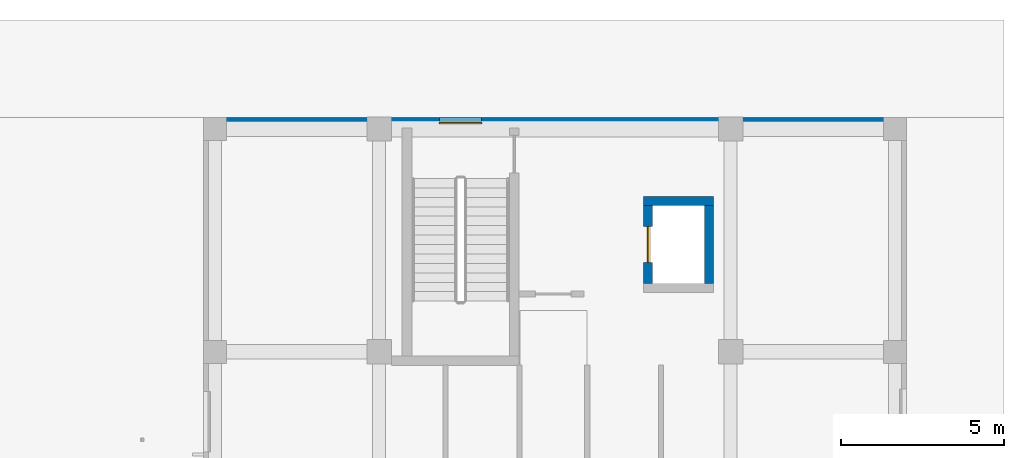
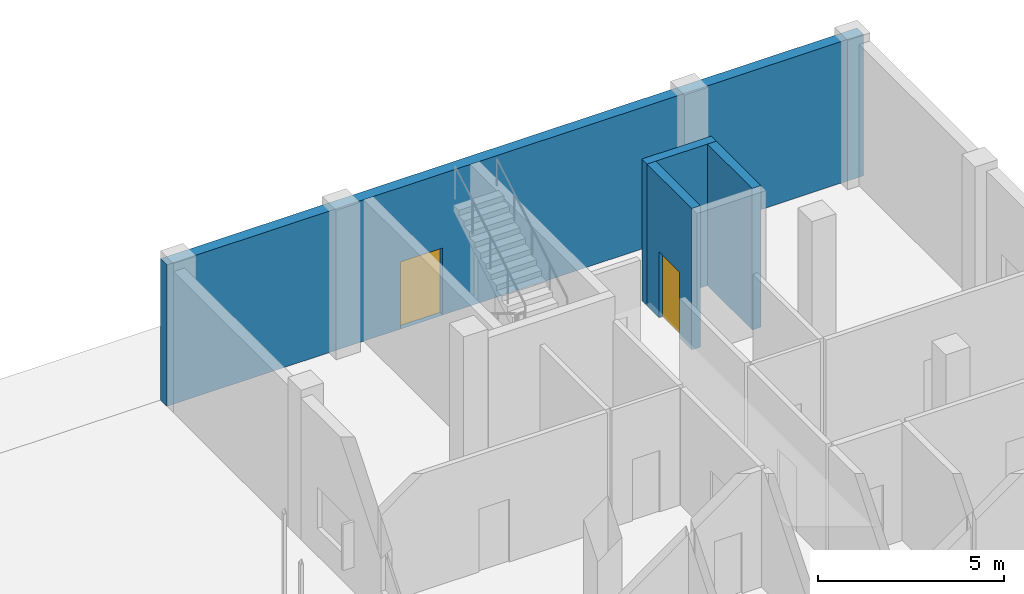
# One storey, part 55 of 85: 4 walls, 2 doors, 2 openings.
"""IFC4 building model written with IfcOpenShell, lengths in metres."""

import ifcopenshell
import ifcopenshell.guid

model = None  # the IFC model being written
_history = None  # IfcOwnerHistory: only IFC2X3 demands one
_inside = {}  # id of a spatial element -> (the spatial element, [elements in it])
_under = {}  # id of a project, library or spatial element -> (it, [spatial elements below it])
_declared = {}  # id of a project -> (the project, [libraries it declares])
_typed = {}  # id of a type object -> (the type object, [elements of that type])
_made_of = {}  # id of a material, layer set ... -> (it, [elements and type objects made of it])


def new_model(schema):
    """Start an empty IFC model of exactly this schema.

    Asked for "IFC4X3", IfcOpenShell would pick the latest addendum, in which some entities
    have other attributes; the version numbers below select the first issue.
    IFC2X3 requires an IfcOwnerHistory on every rooted entity: one is made here for all.
    """
    global model, _history
    if schema == "IFC4X3":
        model = ifcopenshell.file(schema_version=(4, 3, 0, 0))
    else:
        model = ifcopenshell.file(schema=schema)
    _inside.clear()
    _under.clear()
    _declared.clear()
    _typed.clear()
    _made_of.clear()
    _history = None
    if model.schema == "IFC2X3":
        org = make("IfcOrganization", Name="unknown")
        user = make(
            "IfcPersonAndOrganization",
            ThePerson=make("IfcPerson", FamilyName="unknown"),
            TheOrganization=org,
        )
        app = make(
            "IfcApplication",
            ApplicationDeveloper=org,
            Version="unknown",
            ApplicationFullName="unknown",
            ApplicationIdentifier="unknown",
        )
        _history = make(
            "IfcOwnerHistory",
            OwningUser=user,
            OwningApplication=app,
            ChangeAction="ADDED",
            CreationDate=0,
        )
    return model


def make(cls, **values):
    """One entity of the class cls with the attributes given. An attribute that is None is left unset."""
    return model.create_entity(
        cls, **{name: value for name, value in values.items() if value is not None}
    )


def rooted(cls, **values):
    """An entity with a GlobalId (a new one), such as an element, a storey or a relation."""
    return make(cls, GlobalId=ifcopenshell.guid.new(), OwnerHistory=_history, **values)


def si_unit(unit_type, name, prefix=None):
    """IfcSIUnit, for example si_unit("LENGTHUNIT", "METRE", prefix="MILLI")."""
    return make("IfcSIUnit", UnitType=unit_type, Prefix=prefix, Name=name)


def derived_unit(unit_type, elements):
    """IfcDerivedUnit: a product of units, each with its exponent."""
    return make(
        "IfcDerivedUnit",
        Elements=[
            make("IfcDerivedUnitElement", Unit=unit, Exponent=power)
            for unit, power in elements
        ],
        UnitType=unit_type,
    )


def assignment(units):
    """IfcUnitAssignment: the units of a project."""
    return None if units is None else make("IfcUnitAssignment", Units=units)


def point(xyz):
    """IfcCartesianPoint."""
    return None if xyz is None else make("IfcCartesianPoint", Coordinates=xyz)


def direction(xyz):
    """IfcDirection."""
    return None if xyz is None else make("IfcDirection", DirectionRatios=xyz)


def frame(location, z_axis=None, x_axis=None):
    """IfcAxis2Placement3D, a coordinate frame: its origin and axes. An axis left out is left unset."""
    return make(
        "IfcAxis2Placement3D",
        Location=point(location),
        Axis=direction(z_axis),
        RefDirection=direction(x_axis),
    )


def frame_2d(location, x_axis=None):
    """IfcAxis2Placement2D, a coordinate frame in the plane: its origin and x axis."""
    return make(
        "IfcAxis2Placement2D", Location=point(location), RefDirection=direction(x_axis)
    )


def origin():
    """The frame at (0, 0, 0) with its axes left unset."""
    return frame((0.0, 0.0, 0.0))


def place(relative_to, where):
    """IfcLocalPlacement: puts the frame where relative to a parent placement (None: the world)."""
    return make(
        "IfcLocalPlacement", PlacementRelTo=relative_to, RelativePlacement=where
    )


def context(
    kind, dimensions, precision=None, world=None, true_north=None, identifier=None
):
    """IfcGeometricRepresentationContext, for example the 3D "Model" context."""
    return make(
        "IfcGeometricRepresentationContext",
        ContextIdentifier=identifier,
        ContextType=kind,
        CoordinateSpaceDimension=dimensions,
        Precision=precision,
        WorldCoordinateSystem=world,
        TrueNorth=true_north,
    )


def subcontext(parent, identifier, kind, view, scale=None):
    """IfcGeometricRepresentationSubContext, for example "Body" below "Model"."""
    return make(
        "IfcGeometricRepresentationSubContext",
        ContextIdentifier=identifier,
        ContextType=kind,
        ParentContext=parent,
        TargetScale=scale,
        TargetView=view,
    )


def project(units=None, contexts=None):
    """IfcProject with its units and contexts."""
    return rooted(
        "IfcProject",
        Name="project",
        RepresentationContexts=contexts,
        UnitsInContext=assignment(units),
    )


def spatial(cls, under=None, at=None, **own):
    """A site, building, storey or space (cls), placed at a placement, below another one or the project."""
    s = rooted(cls, ObjectPlacement=at, **own)
    if under is not None:
        _under.setdefault(under.id(), (under, []))[1].append(s)
    return s


def profile(cls, at=None, kind="AREA", **sizes):
    """A parametric profile (cls). Its sizes go by their IFC names, for example OverallWidth=200.0."""
    return make(cls, ProfileType=kind, Position=at, **sizes)


def rectangle(**sizes):
    """IfcRectangleProfileDef."""
    return profile("IfcRectangleProfileDef", **sizes)


def extrude(swept, where, along, depth):
    """IfcExtrudedAreaSolid: the profile swept, set in the frame where, extruded along a direction by depth."""
    return make(
        "IfcExtrudedAreaSolid",
        SweptArea=swept,
        Position=where,
        ExtrudedDirection=direction(along),
        Depth=depth,
    )


def shape(context_of_items, identifier, shape_type, items):
    """IfcShapeRepresentation: the items that make up one representation, for example the "Body"."""
    return make(
        "IfcShapeRepresentation",
        ContextOfItems=context_of_items,
        RepresentationIdentifier=identifier,
        RepresentationType=shape_type,
        Items=items,
    )


def material(Name=None, Category=None):
    """IfcMaterial."""
    return make("IfcMaterial", Name=Name, Category=Category)


def layer(
    of_material, thickness, ventilated=None, Name=None, Category=None, Priority=None
):
    """IfcMaterialLayer: one layer of a wall or slab, of a material (None: an air gap)."""
    return make(
        "IfcMaterialLayer",
        Material=of_material,
        LayerThickness=thickness,
        IsVentilated=ventilated,
        Name=Name,
        Category=Category,
        Priority=Priority,
    )


def layer_set(layers, Name=None):
    """IfcMaterialLayerSet."""
    return make("IfcMaterialLayerSet", MaterialLayers=layers, LayerSetName=Name)


def made_of(thing, what):
    """Note that an element or type object is made of a material, layer set ...; save() writes the relation."""
    if what is not None:
        _made_of.setdefault(what.id(), (what, []))[1].append(thing)
    return thing


def type_object(cls, material=None, **own):
    """A type object (cls), such as IfcWallType, which elements share."""
    return made_of(rooted(cls, **own), material)


def element(
    cls,
    number,
    at=None,
    inside=None,
    cuts=None,
    type_object=None,
    material=None,
    context=None,
    identifier="Body",
    shape_type=None,
    held_by="IfcProductDefinitionShape",
    body=None,
    shapes=None,
    **own,
):
    """One element of the class cls, such as IfcWall. Its Tag is "e" and its number.

    at: its placement. inside: the storey or other place that contains it. cuts: it is an
    opening in that element (IfcRelVoidsElement). A single representation is given by context,
    identifier, shape_type and body (its items); several are given by shapes. held_by: the class
    of the entity that holds the representations. save() writes the other relations.
    """
    e = rooted(cls, Tag="e%d" % number, ObjectPlacement=at, **own)
    if body is not None:
        shapes = [shape(context, identifier, shape_type, body)]
    if shapes is not None:
        e.Representation = make(held_by, Representations=shapes)
    if inside is not None:
        _inside.setdefault(inside.id(), (inside, []))[1].append(e)
    if cuts is not None:
        rooted(
            "IfcRelVoidsElement", RelatingBuildingElement=cuts, RelatedOpeningElement=e
        )
    if type_object is not None:
        _typed.setdefault(type_object.id(), (type_object, []))[1].append(e)
    return made_of(e, material)


def fill(opening, filler):
    """IfcRelFillsElement: the door or window that sits in an opening."""
    return rooted(
        "IfcRelFillsElement",
        RelatingOpeningElement=opening,
        RelatedBuildingElement=filler,
    )


def aggregate(whole, parts):
    """IfcRelAggregates: a whole, such as a stair, and the parts it consists of."""
    return rooted("IfcRelAggregates", RelatingObject=whole, RelatedObjects=parts)


def save(model, path):
    """Write the relations noted so far, then the file.

    IfcRelAggregates (storeys below a building ...), IfcRelContainedInSpatialStructure (elements
    in a storey), IfcRelDefinesByType, IfcRelAssociatesMaterial and IfcRelDeclares: one each for
    every whole, place, type object, material and project.
    """
    for whole, parts in _under.values():
        aggregate(whole, parts)
    for where, things in _inside.values():
        rooted(
            "IfcRelContainedInSpatialStructure",
            RelatedElements=things,
            RelatingStructure=where,
        )
    for kind, things in _typed.values():
        rooted("IfcRelDefinesByType", RelatedObjects=things, RelatingType=kind)
    for what, things in _made_of.values():
        rooted("IfcRelAssociatesMaterial", RelatedObjects=things, RelatingMaterial=what)
    for by, libraries in _declared.values():
        rooted("IfcRelDeclares", RelatingContext=by, RelatedDefinitions=libraries)
    model.write(path)


model = new_model("IFC4")

# Units and contexts
model_context = context("Model", 3, precision=1e-05, world=origin(), true_north=direction((0.0, 1.0)))
body_context = subcontext(model_context, "Body", "Model", "MODEL_VIEW")
ifc_project = project(units=[si_unit("LENGTHUNIT", "METRE"), si_unit("AREAUNIT", "SQUARE_METRE"), si_unit("VOLUMEUNIT", "CUBIC_METRE"), si_unit("PLANEANGLEUNIT", "RADIAN"), si_unit("MASSUNIT", "GRAM", prefix="KILO"), derived_unit("THERMALTRANSMITTANCEUNIT", [(si_unit("MASSUNIT", "GRAM", prefix="KILO"), 1), (si_unit("TIMEUNIT", "SECOND"), -3), (si_unit("THERMODYNAMICTEMPERATUREUNIT", "KELVIN"), -1)])], contexts=[model_context])

# Site, building, storey
site_placement = place(None, origin())
site = spatial("IfcSite", under=ifc_project, at=site_placement, CompositionType="ELEMENT")
building_placement = place(site_placement, origin())
building = spatial("IfcBuilding", under=site, at=building_placement, Name="Ochrekiln Boulevard Commons", CompositionType="ELEMENT")
storey_placement = place(building_placement, origin())
storey = spatial("IfcBuildingStorey", under=building, at=storey_placement, Name="L00", CompositionType="ELEMENT", Elevation=0.0)

# Wall, opening, door
ifc_material_1 = material(Name="Iron-spot brown clinker brick masonry ASTM C216 Grade SW", Category="masonry")
ifc_layer_1 = layer(ifc_material_1, 0.340087890625)
ifc_layer_set_1 = layer_set([ifc_layer_1], Name="Iron-spot brown clinker brick masonry ASTM C216 Grade SW")
wall_type_1 = type_object("IfcWallType", Name="WL-EXT-IRON-340", PredefinedType="SOLIDWALL", material=ifc_layer_set_1)
wall_1_placement = place(storey_placement, frame((151.199951171875, 118.6298828125, 0.0), z_axis=(0.0, 0.0, 1.0), x_axis=(1.0, 0.0, 0.0)))
wall_1 = element("IfcWall", 1, at=wall_1_placement, inside=storey, type_object=wall_type_1, Name="Block B L00 N Exterior Wall", PredefinedType="SOLIDWALL", context=body_context, shape_type="SweptSolid", body=[
    extrude(rectangle(XDim=21.60009765625, YDim=0.340087890625, at=frame_2d((10.800048828125, 0.0))), origin(), (0.0, 0.0, 1.0), 4.639892578125),
])
opening_1_placement = place(wall_1_placement, frame((7.25, 0.0, 0.0)))
opening_1 = element("IfcOpeningElement", 2, at=opening_1_placement, cuts=wall_1, Name="Opening D-L00-EX19", PredefinedType="OPENING", context=body_context, shape_type="SweptSolid", body=[
    extrude(rectangle(XDim=1.300048828125, YDim=2.199951171875, at=frame_2d((0.64990234375, 1.10009765625))), frame((0.0, 0.179931640625, 0.0), z_axis=(0.0, -1.0, 0.0), x_axis=(1.0, 0.0, 0.0)), (0.0, 0.0, 1.0), 0.360107421875),
])
ifc_material_2 = material(Name="Bronze-anodized extruded aluminium 6063-T6", Category="aluminium")
door_type_1 = type_object("IfcDoorType", Name="DR-EXT-STAIR-130", OperationType="NOTDEFINED", PredefinedType="DOOR", material=ifc_material_2)
door_1_placement = place(opening_1_placement, origin())
door_1 = element("IfcDoor", 3, at=door_1_placement, inside=storey, type_object=door_type_1, Name="Stair ST-B2 Exterior Exit Discharge Door", OperationType="SINGLE_SWING_LEFT", OverallHeight=2.199951171875, OverallWidth=1.300048828125, PredefinedType="DOOR", context=body_context, shape_type="SweptSolid", body=[
    extrude(rectangle(XDim=1.300048828125, YDim=2.199951171875, at=frame_2d((0.64990234375, 1.10009765625))), frame((0.0, 0.02490234375, 0.0), z_axis=(0.0, -1.0, 0.0), x_axis=(1.0, 0.0, 0.0)), (0.0, 0.0, 1.0), 0.050048828125),
])
fill(opening_1, door_1)

# Wall
ifc_material_3 = material(Name="Concrete C40/50", Category="concrete")
ifc_layer_2 = layer(ifc_material_3, 0.27490234375)
ifc_layer_set_2 = layer_set([ifc_layer_2], Name="Concrete C40/50")
wall_type_2 = type_object("IfcWallType", Name="WL-SH-275", PredefinedType="SHEAR", material=ifc_layer_set_2)
wall_2_placement = place(storey_placement, frame((164.72509765625, 116.237548828125, 0.0), z_axis=(0.0, 0.0, 1.0), x_axis=(1.0, 0.0, 0.0)))
element("IfcWall", 4, at=wall_2_placement, inside=storey, type_object=wall_type_2, Name="Elevator FF-B2 L00 Hoistway Shear Wall", PredefinedType="SHEAR", context=body_context, shape_type="SweptSolid", body=[
    extrude(rectangle(XDim=2.14990234375, YDim=0.27490234375, at=frame_2d((1.074951171875, 0.0))), origin(), (0.0, 0.0, 1.0), 4.639892578125),
])

# Wall, opening, door
wall_3_placement = place(storey_placement, frame((164.862548828125, 113.699951171875, 0.0), z_axis=(0.0, 0.0, 1.0), x_axis=(0.0, 1.0, 0.0)))
wall_3 = element("IfcWall", 5, at=wall_3_placement, inside=storey, type_object=wall_type_2, Name="Elevator FF-B2 L00 Hoistway Shear Wall", PredefinedType="SHEAR", context=body_context, shape_type="SweptSolid", body=[
    extrude(rectangle(XDim=2.400146484375, YDim=0.27490234375, at=frame_2d((1.2001953125, 0.0))), origin(), (0.0, 0.0, 1.0), 4.639892578125),
])
opening_2_placement = place(wall_3_placement, frame((0.64990234375, 0.0, 0.0)))
opening_2 = element("IfcOpeningElement", 6, at=opening_2_placement, cuts=wall_3, Name="Opening LD-FF-B2-L00", PredefinedType="OPENING", context=body_context, shape_type="SweptSolid", body=[
    extrude(rectangle(XDim=1.10009765625, YDim=2.14990234375, at=frame_2d((0.550048828125, 1.074951171875))), frame((0.0, 0.1474609375, 0.0), z_axis=(0.0, -1.0, 0.0), x_axis=(1.0, 0.0, 0.0)), (0.0, 0.0, 1.0), 0.294921875),
])
ifc_material_4 = material(Name="Brushed stainless steel 316 elevator cab and doors", Category="steel")
door_type_2 = type_object("IfcDoorType", Name="DR-LIFT-LD90", OperationType="SLIDING_TO_LEFT", PredefinedType="DOOR", material=ifc_material_4)
door_2_placement = place(opening_2_placement, origin())
door_2 = element("IfcDoor", 7, at=door_2_placement, inside=storey, type_object=door_type_2, Name="Elevator FF-B2 L00 Sliding Landing Door LD-FF-B2-L00", OperationType="SLIDING_TO_LEFT", OverallHeight=2.14990234375, OverallWidth=1.10009765625, PredefinedType="DOOR", context=body_context, shape_type="SweptSolid", body=[
    extrude(rectangle(XDim=1.10009765625, YDim=2.14990234375, at=frame_2d((0.550048828125, 1.074951171875))), frame((0.0, 0.02490234375, 0.0), z_axis=(0.0, -1.0, 0.0), x_axis=(1.0, 0.0, 0.0)), (0.0, 0.0, 1.0), 0.050048828125),
])
fill(opening_2, door_2)

# Wall
wall_4_placement = place(storey_placement, frame((166.737548828125, 113.699951171875, 0.0), z_axis=(0.0, 0.0, 1.0), x_axis=(0.0, 1.0, 0.0)))
element("IfcWall", 8, at=wall_4_placement, inside=storey, type_object=wall_type_2, Name="Elevator FF-B2 L00 Hoistway Shear Wall", PredefinedType="SHEAR", context=body_context, shape_type="SweptSolid", body=[
    extrude(rectangle(XDim=2.400146484375, YDim=0.27490234375, at=frame_2d((1.2001953125, 0.0))), origin(), (0.0, 0.0, 1.0), 4.639892578125),
])

save(model, "model.ifc")
